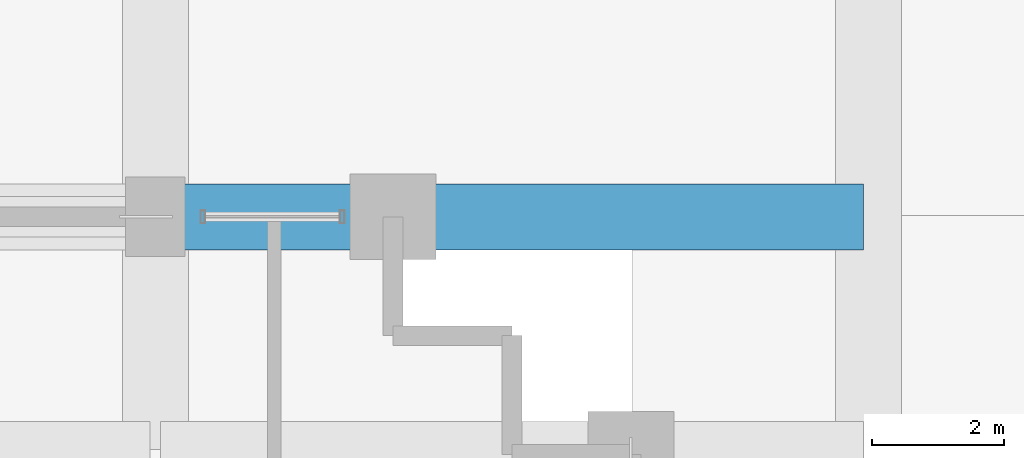
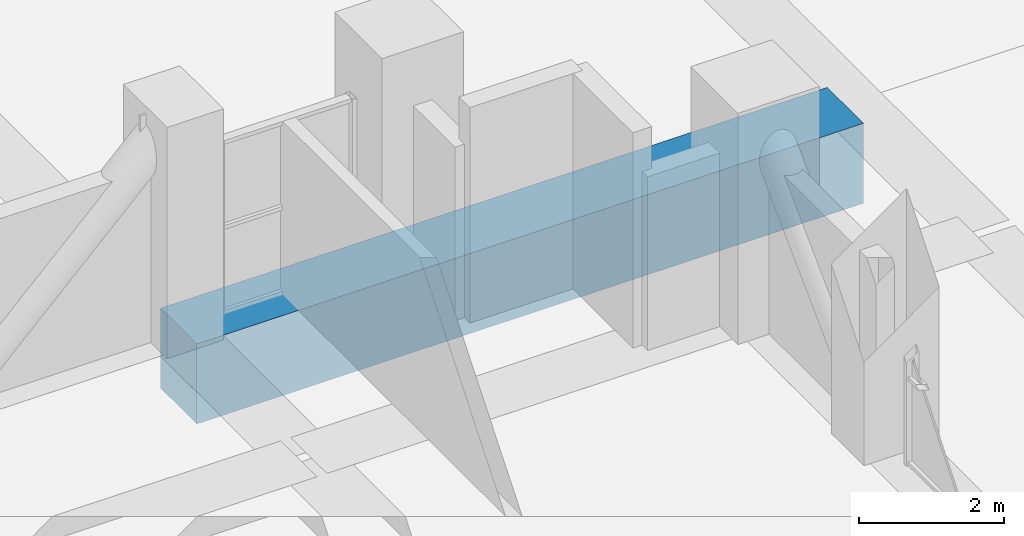
# One storey, part 20 of 39: 1 beam.
"""IFC4 building model written with IfcOpenShell, lengths in metres."""

from ifc_helpers import new_model, si_unit, direction, frame, origin, origin_2d, place, context, subcontext, project, spatial, rectangle, extrude, material, material_profile, profile_set, type_object, element, save


model = new_model("IFC4")

# Units and contexts
model_context = context("Model", 3, precision=1e-05, world=origin(), true_north=direction((0.0, 1.0)))
body_context = subcontext(model_context, "Body", "Model", "MODEL_VIEW")
ifc_project = project(units=[si_unit("LENGTHUNIT", "METRE"), si_unit("AREAUNIT", "SQUARE_METRE"), si_unit("VOLUMEUNIT", "CUBIC_METRE"), si_unit("PLANEANGLEUNIT", "RADIAN"), si_unit("MASSUNIT", "GRAM", prefix="KILO")], contexts=[model_context])

# Site, building, storey
site_placement = place(None, origin())
site = spatial("IfcSite", under=ifc_project, at=site_placement, CompositionType="ELEMENT")
building_placement = place(site_placement, origin())
building = spatial("IfcBuilding", under=site, at=building_placement, Name="Solnavia Interchange Tower", CompositionType="ELEMENT")
storey_placement = place(building_placement, frame((0.0, 0.0, 24.0)))
storey = spatial("IfcBuildingStorey", under=building, at=storey_placement, Name="L05", CompositionType="ELEMENT", Elevation=24.0)

# Beam
ifc_material = material(Name="Concrete C60/75", Category="concrete")
ifc_material_profile = material_profile(ifc_material, rectangle(XDim=1.0, YDim=1.35009765625, at=origin_2d()), Name="RC 1000x1350")
ifc_profile_set = profile_set([ifc_material_profile], Name="Concrete C60/75")
beam_type = type_object("IfcBeamType", Name="Beam-Transfer-RC1000x1350", PredefinedType="BEAM", material=ifc_profile_set)
beam_placement = place(storey_placement, frame((54.080078125, 25.199951171875, -0.675048828125), z_axis=(1.0, 0.0, 0.0), x_axis=(0.0, 1.0, 0.0)))
element("IfcBeam", 1, at=beam_placement, inside=storey, type_object=beam_type, Name="TRB-L05-68 East-north perimeter transfer girder", PredefinedType="BEAM", context=body_context, shape_type="SweptSolid", body=[
    extrude(rectangle(XDim=1.0, YDim=1.35009765625, at=origin_2d()), origin(), (0.0, 0.0, 1.0), 10.639892578125),
])

save(model, "model.ifc")
